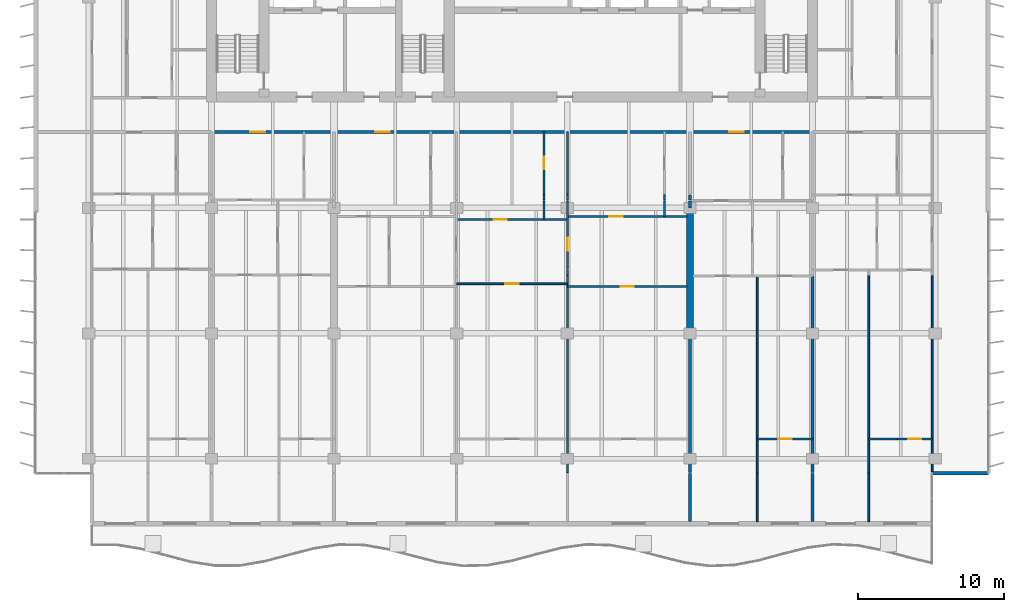
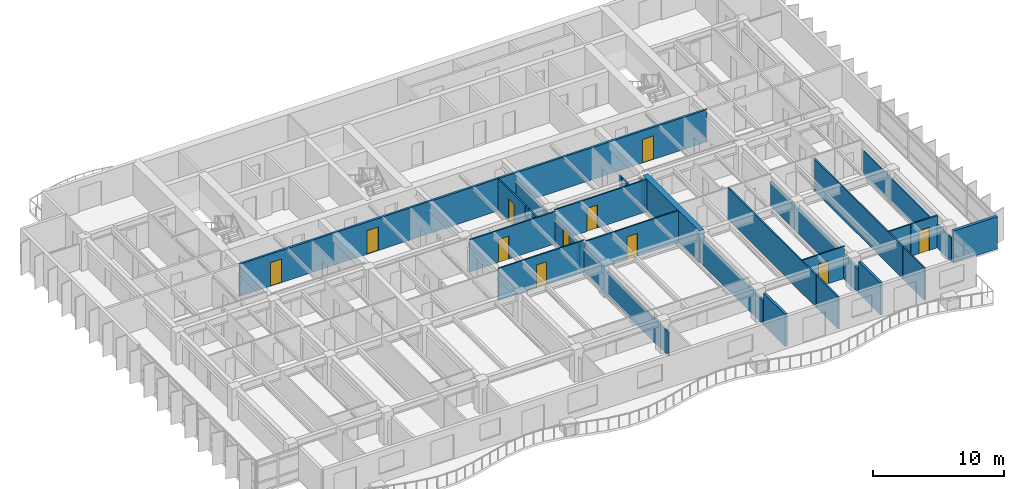
# One storey, part 10 of 18: 31 walls, 11 doors, 11 openings.
"""IFC4 building model written with IfcOpenShell, lengths in metres."""

from ifc_helpers import new_model, si_unit, direction, frame, frame_2d, origin, place, context, subcontext, project, spatial, rectangle, extrude, material, layer, layer_set, type_object, element, fill, save


model = new_model("IFC4")

# Units and contexts
model_context = context("Model", 3, precision=1e-05, world=origin(), true_north=direction((0.0, 1.0)))
body_context = subcontext(model_context, "Body", "Model", "MODEL_VIEW")
ifc_project = project(units=[si_unit("LENGTHUNIT", "METRE"), si_unit("AREAUNIT", "SQUARE_METRE"), si_unit("VOLUMEUNIT", "CUBIC_METRE"), si_unit("PLANEANGLEUNIT", "RADIAN"), si_unit("MASSUNIT", "GRAM", prefix="KILO")], contexts=[model_context])

# Site, building, storey
site_placement = place(None, origin())
site = spatial("IfcSite", under=ifc_project, at=site_placement, CompositionType="ELEMENT")
building_placement = place(site_placement, origin())
building = spatial("IfcBuilding", under=site, at=building_placement, Name="Caelmar Bay Residences", CompositionType="ELEMENT")
storey_placement = place(building_placement, frame((0.0, 0.0, 180.300048828125)))
storey = spatial("IfcBuildingStorey", under=building, at=storey_placement, Name="L50", CompositionType="ELEMENT", Elevation=180.300048828125)

# Wall
ifc_material_1 = material(Name="Concrete f'c 55 MPa (8,000 psi)", Category="concrete")
ifc_layer_1 = layer(ifc_material_1, 0.449951171875)
ifc_layer_set_1 = layer_set([ifc_layer_1], Name="Concrete f'c 55 MPa (8,000 psi)")
wall_type_1 = type_object("IfcWallType", Name="SW-XSLB-450", PredefinedType="SHEAR", material=ifc_layer_set_1)
wall_1_placement = place(storey_placement, frame((51.10009765625, 20.800048828125, 0.0), z_axis=(0.0, 0.0, 1.0), x_axis=(0.0, 1.0, 0.0)))
element("IfcWall", 1, at=wall_1_placement, inside=storey, type_object=wall_type_1, Name="L50 Transverse Cross-Slab Shear Wall E8", PredefinedType="SHEAR", context=body_context, shape_type="SweptSolid", body=[
    extrude(rectangle(XDim=8.599853515625, YDim=0.449951171875, at=frame_2d((4.2998046875, 0.0))), origin(), (0.0, 0.0, 1.0), 3.0),
])

# Wall, openings, doors
ifc_material_2 = material(Name="Double-stud acoustic fire-rated gypsum partition 180 mm")
ifc_layer_2 = layer(ifc_material_2, 0.179931640625)
ifc_layer_set_2 = layer_set([ifc_layer_2], Name="Double-stud acoustic fire-rated gypsum partition 180 mm")
wall_type_2 = type_object("IfcWallType", Name="W-COR-200", PredefinedType="PARTITIONING", material=ifc_layer_set_2)
wall_2_placement = place(storey_placement, frame((18.300048828125, 34.60009765625, 0.0), z_axis=(0.0, 0.0, 1.0), x_axis=(1.0, 0.0, 0.0)))
wall_2 = element("IfcWall", 2, at=wall_2_placement, inside=storey, type_object=wall_type_2, Name="L50 Partition Wall H130", PredefinedType="PARTITIONING", context=body_context, shape_type="SweptSolid", body=[
    extrude(rectangle(XDim=41.199951171875, YDim=0.179931640625, at=frame_2d((20.60009765625, 0.0))), origin(), (0.0, 0.0, 1.0), 3.0),
])
opening_1_placement = place(wall_2_placement, frame((2.669921875, 0.0, 0.0)))
opening_1 = element("IfcOpeningElement", 3, at=opening_1_placement, cuts=wall_2, Name="Opening D-L50-128", PredefinedType="OPENING", context=body_context, shape_type="SweptSolid", body=[
    extrude(rectangle(XDim=1.0, YDim=2.199951171875, at=frame_2d((0.5, 1.10009765625))), frame((0.0, 0.099853515625, 0.0), z_axis=(0.0, -1.0, 0.0), x_axis=(1.0, 0.0, 0.0)), (0.0, 0.0, 1.0), 0.199951171875),
])
opening_2_placement = place(wall_2_placement, frame((11.2119140625, 0.0, 0.0)))
opening_2 = element("IfcOpeningElement", 4, at=opening_2_placement, cuts=wall_2, Name="Opening D-L50-135", PredefinedType="OPENING", context=body_context, shape_type="SweptSolid", body=[
    extrude(rectangle(XDim=1.0, YDim=2.199951171875, at=frame_2d((0.5, 1.10009765625))), frame((0.0, 0.099853515625, 0.0), z_axis=(0.0, -1.0, 0.0), x_axis=(1.0, 0.0, 0.0)), (0.0, 0.0, 1.0), 0.199951171875),
])
opening_3_placement = place(wall_2_placement, frame((35.48291015625, 0.0, 0.0)))
opening_3 = element("IfcOpeningElement", 5, at=opening_3_placement, cuts=wall_2, Name="Opening D-L50-150", PredefinedType="OPENING", context=body_context, shape_type="SweptSolid", body=[
    extrude(rectangle(XDim=1.0, YDim=2.199951171875, at=frame_2d((0.5, 1.10009765625))), frame((0.0, 0.099853515625, 0.0), z_axis=(0.0, -1.0, 0.0), x_axis=(1.0, 0.0, 0.0)), (0.0, 0.0, 1.0), 0.199951171875),
])
ifc_material_3 = material(Name="Fire-rated steel and walnut architectural door assembly", Category="steel")
ifc_layer_3 = layer(ifc_material_3, 0.050048828125)
ifc_layer_set_3 = layer_set([ifc_layer_3], Name="Fire-rated steel and walnut architectural door assembly")
door_type_1 = type_object("IfcDoorType", Name="D-UNIT-1000", OperationType="NOTDEFINED", PredefinedType="DOOR", material=ifc_layer_set_3)
door_1_placement = place(opening_1_placement, origin())
door_1 = element("IfcDoor", 6, at=door_1_placement, inside=storey, type_object=door_type_1, Name="L50 Residence 02 Apartment Hall Door", OperationType="SINGLE_SWING_LEFT", OverallHeight=2.199951171875, OverallWidth=1.0, PredefinedType="DOOR", context=body_context, shape_type="SweptSolid", body=[
    extrude(rectangle(XDim=1.0, YDim=2.199951171875, at=frame_2d((0.5, 1.10009765625))), frame((0.0, 0.02490234375, 0.0), z_axis=(0.0, -1.0, 0.0), x_axis=(1.0, 0.0, 0.0)), (0.0, 0.0, 1.0), 0.050048828125),
])
fill(opening_1, door_1)
door_2_placement = place(opening_2_placement, origin())
door_2 = element("IfcDoor", 7, at=door_2_placement, inside=storey, type_object=door_type_1, Name="L50 Residence 03 Apartment Hall Door", OperationType="SINGLE_SWING_RIGHT", OverallHeight=2.199951171875, OverallWidth=1.0, PredefinedType="DOOR", context=body_context, shape_type="SweptSolid", body=[
    extrude(rectangle(XDim=1.0, YDim=2.199951171875, at=frame_2d((0.5, 1.10009765625))), frame((0.0, 0.02490234375, 0.0), z_axis=(0.0, -1.0, 0.0), x_axis=(1.0, 0.0, 0.0)), (0.0, 0.0, 1.0), 0.050048828125),
])
fill(opening_2, door_2)
door_3_placement = place(opening_3_placement, origin())
door_3 = element("IfcDoor", 8, at=door_3_placement, inside=storey, type_object=door_type_1, Name="L50 Residence 04 Apartment Hall Door", OperationType="SINGLE_SWING_LEFT", OverallHeight=2.199951171875, OverallWidth=1.0, PredefinedType="DOOR", context=body_context, shape_type="SweptSolid", body=[
    extrude(rectangle(XDim=1.0, YDim=2.199951171875, at=frame_2d((0.5, 1.10009765625))), frame((0.0, 0.02490234375, 0.0), z_axis=(0.0, -1.0, 0.0), x_axis=(1.0, 0.0, 0.0)), (0.0, 0.0, 1.0), 0.050048828125),
])
fill(opening_3, door_3)

# Walls
ifc_material_4 = material(Name="Precast concrete f'c 40 MPa (6,000 psi)", Category="concrete")
ifc_layer_4 = layer(ifc_material_4, 0.25)
ifc_layer_set_4 = layer_set([ifc_layer_4], Name="Precast concrete f'c 40 MPa (6,000 psi)")
wall_type_3 = type_object("IfcWallType", Name="W-EXT-250", PredefinedType="ELEMENTEDWALL", material=ifc_layer_set_4)
wall_3_placement = place(storey_placement, frame((67.699951171875, 11.199951171875, 0.0), z_axis=(0.0, 0.0, 1.0), x_axis=(1.0, 0.0, 0.0)))
element("IfcWall", 9, at=wall_3_placement, inside=storey, type_object=wall_type_3, Name="L50 SE Notch Return Wall", PredefinedType="ELEMENTEDWALL", context=body_context, shape_type="SweptSolid", body=[
    extrude(rectangle(XDim=3.85009765625, YDim=0.25, at=frame_2d((1.925048828125, 0.0))), origin(), (0.0, 0.0, 1.0), 3.0),
])
ifc_material_5 = material(Name="Acoustic metal-stud gypsum partition 120 mm")
ifc_layer_5 = layer(ifc_material_5, 0.1201171875)
ifc_layer_set_5 = layer_set([ifc_layer_5], Name="Acoustic metal-stud gypsum partition 120 mm")
wall_type_4 = type_object("IfcWallType", Name="W-PRT-120", PredefinedType="PARTITIONING", material=ifc_layer_set_5)
wall_4_placement = place(storey_placement, frame((41.10009765625, 28.60009765625, 0.0), z_axis=(0.0, 0.0, 1.0), x_axis=(0.0, 1.0, 0.0)))
element("IfcWall", 10, at=wall_4_placement, inside=storey, type_object=wall_type_4, Name="L50 Partition Wall V051", PredefinedType="PARTITIONING", context=body_context, shape_type="SweptSolid", body=[
    extrude(rectangle(XDim=1.27978515625, YDim=0.1201171875, at=frame_2d((0.639892578125, 0.0))), origin(), (0.0, 0.0, 1.0), 3.0),
])
wall_5_placement = place(storey_placement, frame((41.10009765625, 29.93994140625, 0.0), z_axis=(0.0, 0.0, 1.0), x_axis=(0.0, 1.0, 0.0)))
element("IfcWall", 11, at=wall_5_placement, inside=storey, type_object=wall_type_4, Name="L50 Partition Wall V052", PredefinedType="PARTITIONING", context=body_context, shape_type="SweptSolid", body=[
    extrude(rectangle(XDim=0.340087890625, YDim=0.1201171875, at=frame_2d((0.169921875, 0.0))), origin(), (0.0, 0.0, 1.0), 3.0),
])

# Wall, opening, door
wall_6_placement = place(storey_placement, frame((41.10009765625, 30.340087890625, 0.0), z_axis=(0.0, 0.0, 1.0), x_axis=(0.0, 1.0, 0.0)))
wall_6 = element("IfcWall", 12, at=wall_6_placement, inside=storey, type_object=wall_type_4, Name="L50 Partition Wall V053", PredefinedType="PARTITIONING", context=body_context, shape_type="SweptSolid", body=[
    extrude(rectangle(XDim=4.260009765625, YDim=0.1201171875, at=frame_2d((2.1298828125, 0.0))), origin(), (0.0, 0.0, 1.0), 3.0),
])
opening_4_placement = place(wall_6_placement, frame((1.705078125, 0.0, 0.0)))
opening_4 = element("IfcOpeningElement", 13, at=opening_4_placement, cuts=wall_6, Name="Opening D-L50-142", PredefinedType="OPENING", context=body_context, shape_type="SweptSolid", body=[
    extrude(rectangle(XDim=0.85009765625, YDim=2.10009765625, at=frame_2d((0.425048828125, 1.050048828125))), frame((0.0, 0.070068359375, 0.0), z_axis=(0.0, -1.0, 0.0), x_axis=(1.0, 0.0, 0.0)), (0.0, 0.0, 1.0), 0.14013671875),
])
ifc_material_6 = material(Name="Solid walnut timber interior door leaf and frame", Category="wood")
ifc_layer_6 = layer(ifc_material_6, 0.050048828125)
ifc_layer_set_6 = layer_set([ifc_layer_6], Name="Solid walnut timber interior door leaf and frame")
door_type_2 = type_object("IfcDoorType", Name="D-BATH-850", OperationType="NOTDEFINED", PredefinedType="DOOR", material=ifc_layer_set_6)
door_4_placement = place(opening_4_placement, origin())
door_4 = element("IfcDoor", 14, at=door_4_placement, inside=storey, type_object=door_type_2, Name="L50 Residence 03 En-Suite Bathroom 1 Door", OperationType="SINGLE_SWING_LEFT", OverallHeight=2.10009765625, OverallWidth=0.85009765625, PredefinedType="DOOR", context=body_context, shape_type="SweptSolid", body=[
    extrude(rectangle(XDim=0.85009765625, YDim=2.10009765625, at=frame_2d((0.425048828125, 1.050048828125))), frame((0.0, 0.02490234375, 0.0), z_axis=(0.0, -1.0, 0.0), x_axis=(1.0, 0.0, 0.0)), (0.0, 0.0, 1.0), 0.050048828125),
])
fill(opening_4, door_4)

# Walls
wall_7_placement = place(storey_placement, frame((42.699951171875, 11.239990234375, 0.0), z_axis=(0.0, 0.0, 1.0), x_axis=(0.0, 1.0, 0.0)))
element("IfcWall", 15, at=wall_7_placement, inside=storey, type_object=wall_type_4, Name="L50 Partition Wall V056", PredefinedType="PARTITIONING", context=body_context, shape_type="SweptSolid", body=[
    extrude(rectangle(XDim=13.489990234375, YDim=0.1201171875, at=frame_2d((6.7451171875, 0.0))), origin(), (0.0, 0.0, 1.0), 2.212890625),
])
wall_8_placement = place(storey_placement, frame((42.699951171875, 24.7900390625, 0.0), z_axis=(0.0, 0.0, 1.0), x_axis=(0.0, 1.0, 0.0)))
element("IfcWall", 16, at=wall_8_placement, inside=storey, type_object=wall_type_4, Name="L50 Partition Wall V057", PredefinedType="PARTITIONING", context=body_context, shape_type="SweptSolid", body=[
    extrude(rectangle(XDim=0.33984375, YDim=0.1201171875, at=frame_2d((0.169921875, 0.0))), origin(), (0.0, 0.0, 1.0), 2.212890625),
])

# Wall, opening, door
wall_9_placement = place(storey_placement, frame((42.699951171875, 25.18994140625, 0.0), z_axis=(0.0, 0.0, 1.0), x_axis=(0.0, 1.0, 0.0)))
wall_9 = element("IfcWall", 17, at=wall_9_placement, inside=storey, type_object=wall_type_4, Name="L50 Partition Wall V058", PredefinedType="PARTITIONING", context=body_context, shape_type="SweptSolid", body=[
    extrude(rectangle(XDim=4.68994140625, YDim=0.1201171875, at=frame_2d((2.344970703125, 0.0))), origin(), (0.0, 0.0, 1.0), 2.212890625),
])
opening_5_placement = place(wall_9_placement, frame((1.2548828125, 0.0, 0.0)))
opening_5 = element("IfcOpeningElement", 18, at=opening_5_placement, cuts=wall_9, Name="Opening D-L50-145", PredefinedType="OPENING", context=body_context, shape_type="SweptSolid", body=[
    extrude(rectangle(XDim=0.89990234375, YDim=2.14990234375, at=frame_2d((0.449951171875, 1.074951171875))), frame((0.0, 0.070068359375, 0.0), z_axis=(0.0, -1.0, 0.0), x_axis=(1.0, 0.0, 0.0)), (0.0, 0.0, 1.0), 0.14013671875),
])
ifc_layer_7 = layer(ifc_material_6, 0.050048828125)
ifc_layer_set_7 = layer_set([ifc_layer_7], Name="Solid walnut timber interior door leaf and frame")
door_type_3 = type_object("IfcDoorType", Name="D-ROOM-900", OperationType="NOTDEFINED", PredefinedType="DOOR", material=ifc_layer_set_7)
door_5_placement = place(opening_5_placement, origin())
door_5 = element("IfcDoor", 19, at=door_5_placement, inside=storey, type_object=door_type_3, Name="L50 Residence 03 Formal Dining Room 2 Door", OperationType="SINGLE_SWING_RIGHT", OverallHeight=2.14990234375, OverallWidth=0.89990234375, PredefinedType="DOOR", context=body_context, shape_type="SweptSolid", body=[
    extrude(rectangle(XDim=0.89990234375, YDim=2.14990234375, at=frame_2d((0.449951171875, 1.074951171875))), frame((0.0, 0.02490234375, 0.0), z_axis=(0.0, -1.0, 0.0), x_axis=(1.0, 0.0, 0.0)), (0.0, 0.0, 1.0), 0.050048828125),
])
fill(opening_5, door_5)

# Walls
wall_10_placement = place(storey_placement, frame((42.699951171875, 29.93994140625, 0.0), z_axis=(0.0, 0.0, 1.0), x_axis=(0.0, 1.0, 0.0)))
element("IfcWall", 20, at=wall_10_placement, inside=storey, type_object=wall_type_4, Name="L50 Partition Wall V059", PredefinedType="PARTITIONING", context=body_context, shape_type="SweptSolid", body=[
    extrude(rectangle(XDim=0.340087890625, YDim=0.1201171875, at=frame_2d((0.169921875, 0.0))), origin(), (0.0, 0.0, 1.0), 2.212890625),
])
wall_11_placement = place(storey_placement, frame((42.699951171875, 30.340087890625, 0.0), z_axis=(0.0, 0.0, 1.0), x_axis=(0.0, 1.0, 0.0)))
element("IfcWall", 21, at=wall_11_placement, inside=storey, type_object=wall_type_4, Name="L50 Partition Wall V060", PredefinedType="PARTITIONING", context=body_context, shape_type="SweptSolid", body=[
    extrude(rectangle(XDim=4.260009765625, YDim=0.1201171875, at=frame_2d((2.1298828125, 0.0))), origin(), (0.0, 0.0, 1.0), 2.212890625),
])
wall_12_placement = place(storey_placement, frame((49.35888671875, 28.800048828125, 0.0), z_axis=(0.0, 0.0, 1.0), x_axis=(0.0, 1.0, 0.0)))
element("IfcWall", 22, at=wall_12_placement, inside=storey, type_object=wall_type_4, Name="L50 Partition Wall V065", PredefinedType="PARTITIONING", context=body_context, shape_type="SweptSolid", body=[
    extrude(rectangle(XDim=1.079833984375, YDim=0.1201171875, at=frame_2d((0.5400390625, 0.0))), origin(), (0.0, 0.0, 1.0), 3.0),
])
wall_13_placement = place(storey_placement, frame((49.35888671875, 29.93994140625, 0.0), z_axis=(0.0, 0.0, 1.0), x_axis=(0.0, 1.0, 0.0)))
element("IfcWall", 23, at=wall_13_placement, inside=storey, type_object=wall_type_4, Name="L50 Partition Wall V066", PredefinedType="PARTITIONING", context=body_context, shape_type="SweptSolid", body=[
    extrude(rectangle(XDim=0.340087890625, YDim=0.1201171875, at=frame_2d((0.169921875, 0.0))), origin(), (0.0, 0.0, 1.0), 3.0),
])
wall_14_placement = place(storey_placement, frame((55.719970703125, 7.89501953125, 0.0), z_axis=(0.0, 0.0, 1.0), x_axis=(0.0, 1.0, 0.0)))
element("IfcWall", 24, at=wall_14_placement, inside=storey, type_object=wall_type_4, Name="L50 Partition Wall V079", PredefinedType="PARTITIONING", context=body_context, shape_type="SweptSolid", body=[
    extrude(rectangle(XDim=3.304931640625, YDim=0.1201171875, at=frame_2d((1.65234375, 0.0))), origin(), (0.0, 0.0, 1.0), 3.0),
])
wall_15_placement = place(storey_placement, frame((55.719970703125, 11.239990234375, 0.0), z_axis=(0.0, 0.0, 1.0), x_axis=(0.0, 1.0, 0.0)))
element("IfcWall", 25, at=wall_15_placement, inside=storey, type_object=wall_type_4, Name="L50 Partition Wall V080", PredefinedType="PARTITIONING", context=body_context, shape_type="SweptSolid", body=[
    extrude(rectangle(XDim=13.489990234375, YDim=0.1201171875, at=frame_2d((6.7451171875, 0.0))), origin(), (0.0, 0.0, 1.0), 3.0),
])
wall_16_placement = place(storey_placement, frame((63.35400390625, 7.89501953125, 0.0), z_axis=(0.0, 0.0, 1.0), x_axis=(0.0, 1.0, 0.0)))
element("IfcWall", 26, at=wall_16_placement, inside=storey, type_object=wall_type_4, Name="L50 Partition Wall V091", PredefinedType="PARTITIONING", context=body_context, shape_type="SweptSolid", body=[
    extrude(rectangle(XDim=3.304931640625, YDim=0.1201171875, at=frame_2d((1.65234375, 0.0))), origin(), (0.0, 0.0, 1.0), 3.0),
])
wall_17_placement = place(storey_placement, frame((63.35400390625, 11.239990234375, 0.0), z_axis=(0.0, 0.0, 1.0), x_axis=(0.0, 1.0, 0.0)))
element("IfcWall", 27, at=wall_17_placement, inside=storey, type_object=wall_type_4, Name="L50 Partition Wall V092", PredefinedType="PARTITIONING", context=body_context, shape_type="SweptSolid", body=[
    extrude(rectangle(XDim=13.489990234375, YDim=0.1201171875, at=frame_2d((6.7451171875, 0.0))), origin(), (0.0, 0.0, 1.0), 3.0),
])
wall_18_placement = place(storey_placement, frame((67.699951171875, 11.320068359375, 0.0), z_axis=(0.0, 0.0, 1.0), x_axis=(0.0, 1.0, 0.0)))
element("IfcWall", 28, at=wall_18_placement, inside=storey, type_object=wall_type_4, Name="L50 Partition Wall V098", PredefinedType="PARTITIONING", context=body_context, shape_type="SweptSolid", body=[
    extrude(rectangle(XDim=13.409912109375, YDim=0.1201171875, at=frame_2d((6.705078125, 0.0))), origin(), (0.0, 0.0, 1.0), 2.212890625),
])

# Wall, opening, door
wall_19_placement = place(storey_placement, frame((55.719970703125, 13.550048828125, 0.0), z_axis=(0.0, 0.0, 1.0), x_axis=(1.0, 0.0, 0.0)))
wall_19 = element("IfcWall", 29, at=wall_19_placement, inside=storey, type_object=wall_type_4, Name="L50 Partition Wall H109", PredefinedType="PARTITIONING", context=body_context, shape_type="SweptSolid", body=[
    extrude(rectangle(XDim=3.780029296875, YDim=0.1201171875, at=frame_2d((1.89013671875, 0.0))), origin(), (0.0, 0.0, 1.0), 3.0),
])
opening_6_placement = place(wall_19_placement, frame((1.43994140625, 0.0, 0.0)))
opening_6 = element("IfcOpeningElement", 30, at=opening_6_placement, cuts=wall_19, Name="Opening D-L50-156", PredefinedType="OPENING", context=body_context, shape_type="SweptSolid", body=[
    extrude(rectangle(XDim=0.89990234375, YDim=2.14990234375, at=frame_2d((0.449951171875, 1.074951171875))), frame((0.0, 0.070068359375, 0.0), z_axis=(0.0, -1.0, 0.0), x_axis=(1.0, 0.0, 0.0)), (0.0, 0.0, 1.0), 0.14013671875),
])
door_6_placement = place(opening_6_placement, origin())
door_6 = element("IfcDoor", 31, at=door_6_placement, inside=storey, type_object=door_type_3, Name="L50 Residence 04 Primary Bedroom Door", OperationType="SINGLE_SWING_LEFT", OverallHeight=2.14990234375, OverallWidth=0.89990234375, PredefinedType="DOOR", context=body_context, shape_type="SweptSolid", body=[
    extrude(rectangle(XDim=0.89990234375, YDim=2.14990234375, at=frame_2d((0.449951171875, 1.074951171875))), frame((0.0, 0.02490234375, 0.0), z_axis=(0.0, -1.0, 0.0), x_axis=(1.0, 0.0, 0.0)), (0.0, 0.0, 1.0), 0.050048828125),
])
fill(opening_6, door_6)

# Wall
wall_20_placement = place(storey_placement, frame((63.35400390625, 13.550048828125, 0.0), z_axis=(0.0, 0.0, 1.0), x_axis=(1.0, 0.0, 0.0)))
element("IfcWall", 32, at=wall_20_placement, inside=storey, type_object=wall_type_4, Name="L50 Partition Wall H110", PredefinedType="PARTITIONING", context=body_context, shape_type="SweptSolid", body=[
    extrude(rectangle(XDim=1.926025390625, YDim=0.1201171875, at=frame_2d((0.962890625, 0.0))), origin(), (0.0, 0.0, 1.0), 3.0),
])

# Wall, opening, door
wall_21_placement = place(storey_placement, frame((65.31591796875, 13.550048828125, 0.0), z_axis=(0.0, 0.0, 1.0), x_axis=(1.0, 0.0, 0.0)))
wall_21 = element("IfcWall", 33, at=wall_21_placement, inside=storey, type_object=wall_type_4, Name="L50 Partition Wall H111", PredefinedType="PARTITIONING", context=body_context, shape_type="SweptSolid", body=[
    extrude(rectangle(XDim=2.384033203125, YDim=0.1201171875, at=frame_2d((1.19189453125, 0.0))), origin(), (0.0, 0.0, 1.0), 3.0),
])
opening_7_placement = place(wall_21_placement, frame((0.741943359375, 0.0, 0.0)))
opening_7 = element("IfcOpeningElement", 34, at=opening_7_placement, cuts=wall_21, Name="Opening D-L50-163", PredefinedType="OPENING", context=body_context, shape_type="SweptSolid", body=[
    extrude(rectangle(XDim=0.89990234375, YDim=2.14990234375, at=frame_2d((0.449951171875, 1.074951171875))), frame((0.0, 0.070068359375, 0.0), z_axis=(0.0, -1.0, 0.0), x_axis=(1.0, 0.0, 0.0)), (0.0, 0.0, 1.0), 0.14013671875),
])
door_7_placement = place(opening_7_placement, origin())
door_7 = element("IfcDoor", 35, at=door_7_placement, inside=storey, type_object=door_type_3, Name="L50 Residence 05 Primary Bedroom Door", OperationType="SINGLE_SWING_RIGHT", OverallHeight=2.14990234375, OverallWidth=0.89990234375, PredefinedType="DOOR", context=body_context, shape_type="SweptSolid", body=[
    extrude(rectangle(XDim=0.89990234375, YDim=2.14990234375, at=frame_2d((0.449951171875, 1.074951171875))), frame((0.0, 0.02490234375, 0.0), z_axis=(0.0, -1.0, 0.0), x_axis=(1.0, 0.0, 0.0)), (0.0, 0.0, 1.0), 0.050048828125),
])
fill(opening_7, door_7)

wall_22_placement = place(storey_placement, frame((42.699951171875, 24.0, 0.0), z_axis=(0.0, 0.0, 1.0), x_axis=(1.0, 0.0, 0.0)))
wall_22 = element("IfcWall", 36, at=wall_22_placement, inside=storey, type_object=wall_type_4, Name="L50 Partition Wall H113", PredefinedType="PARTITIONING", context=body_context, shape_type="SweptSolid", body=[
    extrude(rectangle(XDim=8.179931640625, YDim=0.1201171875, at=frame_2d((4.08984375, 0.0))), origin(), (0.0, 0.0, 1.0), 3.0),
])
opening_8_placement = place(wall_22_placement, frame((3.639892578125, 0.0, 0.0)))
opening_8 = element("IfcOpeningElement", 37, at=opening_8_placement, cuts=wall_22, Name="Opening D-L50-148", PredefinedType="OPENING", context=body_context, shape_type="SweptSolid", body=[
    extrude(rectangle(XDim=0.89990234375, YDim=2.14990234375, at=frame_2d((0.449951171875, 1.074951171875))), frame((0.0, 0.070068359375, 0.0), z_axis=(0.0, -1.0, 0.0), x_axis=(1.0, 0.0, 0.0)), (0.0, 0.0, 1.0), 0.14013671875),
])
door_8_placement = place(opening_8_placement, origin())
door_8 = element("IfcDoor", 38, at=door_8_placement, inside=storey, type_object=door_type_3, Name="L50 Residence 03 Penthouse Sitting Salon 2 Door", OperationType="SINGLE_SWING_LEFT", OverallHeight=2.14990234375, OverallWidth=0.89990234375, PredefinedType="DOOR", context=body_context, shape_type="SweptSolid", body=[
    extrude(rectangle(XDim=0.89990234375, YDim=2.14990234375, at=frame_2d((0.449951171875, 1.074951171875))), frame((0.0, 0.02490234375, 0.0), z_axis=(0.0, -1.0, 0.0), x_axis=(1.0, 0.0, 0.0)), (0.0, 0.0, 1.0), 0.050048828125),
])
fill(opening_8, door_8)

wall_23_placement = place(storey_placement, frame((35.10498046875, 24.199951171875, 0.0), z_axis=(0.0, 0.0, 1.0), x_axis=(1.0, 0.0, 0.0)))
wall_23 = element("IfcWall", 39, at=wall_23_placement, inside=storey, type_object=wall_type_4, Name="L50 Partition Wall H114", PredefinedType="PARTITIONING", context=body_context, shape_type="SweptSolid", body=[
    extrude(rectangle(XDim=7.590087890625, YDim=0.1201171875, at=frame_2d((3.794921875, 0.0))), origin(), (0.0, 0.0, 1.0), 3.0),
])
opening_9_placement = place(wall_23_placement, frame((3.344970703125, 0.0, 0.0)))
opening_9 = element("IfcOpeningElement", 40, at=opening_9_placement, cuts=wall_23, Name="Opening D-L50-143", PredefinedType="OPENING", context=body_context, shape_type="SweptSolid", body=[
    extrude(rectangle(XDim=0.89990234375, YDim=2.14990234375, at=frame_2d((0.449951171875, 1.074951171875))), frame((0.0, 0.070068359375, 0.0), z_axis=(0.0, -1.0, 0.0), x_axis=(1.0, 0.0, 0.0)), (0.0, 0.0, 1.0), 0.14013671875),
])
door_9_placement = place(opening_9_placement, origin())
door_9 = element("IfcDoor", 41, at=door_9_placement, inside=storey, type_object=door_type_3, Name="L50 Residence 03 Penthouse Sitting Salon 1 Door", OperationType="SINGLE_SWING_RIGHT", OverallHeight=2.14990234375, OverallWidth=0.89990234375, PredefinedType="DOOR", context=body_context, shape_type="SweptSolid", body=[
    extrude(rectangle(XDim=0.89990234375, YDim=2.14990234375, at=frame_2d((0.449951171875, 1.074951171875))), frame((0.0, 0.02490234375, 0.0), z_axis=(0.0, -1.0, 0.0), x_axis=(1.0, 0.0, 0.0)), (0.0, 0.0, 1.0), 0.050048828125),
])
fill(opening_9, door_9)

wall_24_placement = place(storey_placement, frame((35.10009765625, 28.60009765625, 0.0), z_axis=(0.0, 0.0, 1.0), x_axis=(1.0, 0.0, 0.0)))
wall_24 = element("IfcWall", 42, at=wall_24_placement, inside=storey, type_object=wall_type_4, Name="L50 Partition Wall H120", PredefinedType="PARTITIONING", context=body_context, shape_type="SweptSolid", body=[
    extrude(rectangle(XDim=7.599853515625, YDim=0.1201171875, at=frame_2d((3.7998046875, 0.0))), origin(), (0.0, 0.0, 1.0), 3.0),
])
opening_10_placement = place(wall_24_placement, frame((2.550048828125, 0.0, 0.0)))
opening_10 = element("IfcOpeningElement", 43, at=opening_10_placement, cuts=wall_24, Name="Opening D-L50-141", PredefinedType="OPENING", context=body_context, shape_type="SweptSolid", body=[
    extrude(rectangle(XDim=0.89990234375, YDim=2.14990234375, at=frame_2d((0.449951171875, 1.074951171875))), frame((0.0, 0.070068359375, 0.0), z_axis=(0.0, -1.0, 0.0), x_axis=(1.0, 0.0, 0.0)), (0.0, 0.0, 1.0), 0.14013671875),
])
door_10_placement = place(opening_10_placement, origin())
door_10 = element("IfcDoor", 44, at=door_10_placement, inside=storey, type_object=door_type_3, Name="L50 Residence 03 Breakfast Dining Room 1 Door", OperationType="SINGLE_SWING_RIGHT", OverallHeight=2.14990234375, OverallWidth=0.89990234375, PredefinedType="DOOR", context=body_context, shape_type="SweptSolid", body=[
    extrude(rectangle(XDim=0.89990234375, YDim=2.14990234375, at=frame_2d((0.449951171875, 1.074951171875))), frame((0.0, 0.02490234375, 0.0), z_axis=(0.0, -1.0, 0.0), x_axis=(1.0, 0.0, 0.0)), (0.0, 0.0, 1.0), 0.050048828125),
])
fill(opening_10, door_10)

wall_25_placement = place(storey_placement, frame((42.705078125, 28.800048828125, 0.0), z_axis=(0.0, 0.0, 1.0), x_axis=(1.0, 0.0, 0.0)))
wall_25 = element("IfcWall", 45, at=wall_25_placement, inside=storey, type_object=wall_type_4, Name="L50 Partition Wall H122", PredefinedType="PARTITIONING", context=body_context, shape_type="SweptSolid", body=[
    extrude(rectangle(XDim=8.1748046875, YDim=0.1201171875, at=frame_2d((4.08740234375, 0.0))), origin(), (0.0, 0.0, 1.0), 3.0),
])
opening_11_placement = place(wall_25_placement, frame((2.876953125, 0.0, 0.0)))
opening_11 = element("IfcOpeningElement", 46, at=opening_11_placement, cuts=wall_25, Name="Opening D-L50-146", PredefinedType="OPENING", context=body_context, shape_type="SweptSolid", body=[
    extrude(rectangle(XDim=0.89990234375, YDim=2.14990234375, at=frame_2d((0.449951171875, 1.074951171875))), frame((0.0, 0.070068359375, 0.0), z_axis=(0.0, -1.0, 0.0), x_axis=(1.0, 0.0, 0.0)), (0.0, 0.0, 1.0), 0.14013671875),
])
door_11_placement = place(opening_11_placement, origin())
door_11 = element("IfcDoor", 47, at=door_11_placement, inside=storey, type_object=door_type_3, Name="L50 Residence 03 Breakfast Dining Room 2 Door", OperationType="SINGLE_SWING_LEFT", OverallHeight=2.14990234375, OverallWidth=0.89990234375, PredefinedType="DOOR", context=body_context, shape_type="SweptSolid", body=[
    extrude(rectangle(XDim=0.89990234375, YDim=2.14990234375, at=frame_2d((0.449951171875, 1.074951171875))), frame((0.0, 0.02490234375, 0.0), z_axis=(0.0, -1.0, 0.0), x_axis=(1.0, 0.0, 0.0)), (0.0, 0.0, 1.0), 0.050048828125),
])
fill(opening_11, door_11)

# Walls
ifc_material_7 = material(Name="Acoustic twin-stud fire-rated inter-tenancy partition 200 mm")
ifc_layer_8 = layer(ifc_material_7, 0.199951171875)
ifc_layer_set_8 = layer_set([ifc_layer_8], Name="Acoustic twin-stud fire-rated inter-tenancy partition 200 mm")
wall_type_5 = type_object("IfcWallType", Name="W-PTY-200", PredefinedType="PARTITIONING", material=ifc_layer_set_8)
wall_26_placement = place(storey_placement, frame((51.10009765625, 7.89501953125, 0.0), z_axis=(0.0, 0.0, 1.0), x_axis=(0.0, 1.0, 0.0)))
element("IfcWall", 48, at=wall_26_placement, inside=storey, type_object=wall_type_5, Name="L50 Partition Wall V071", PredefinedType="PARTITIONING", context=body_context, shape_type="SweptSolid", body=[
    extrude(rectangle(XDim=3.304931640625, YDim=0.199951171875, at=frame_2d((1.65234375, 0.0))), origin(), (0.0, 0.0, 1.0), 3.0),
])
wall_27_placement = place(storey_placement, frame((51.10009765625, 11.239990234375, 0.0), z_axis=(0.0, 0.0, 1.0), x_axis=(0.0, 1.0, 0.0)))
element("IfcWall", 49, at=wall_27_placement, inside=storey, type_object=wall_type_5, Name="L50 Partition Wall V072", PredefinedType="PARTITIONING", context=body_context, shape_type="SweptSolid", body=[
    extrude(rectangle(XDim=9.554931640625, YDim=0.199951171875, at=frame_2d((4.77734375, 0.0))), origin(), (0.0, 0.0, 1.0), 2.212890625),
])
wall_28_placement = place(storey_placement, frame((51.10009765625, 29.405029296875, 0.0), z_axis=(0.0, 0.0, 1.0), x_axis=(0.0, 1.0, 0.0)))
element("IfcWall", 50, at=wall_28_placement, inside=storey, type_object=wall_type_5, Name="L50 Partition Wall V073", PredefinedType="PARTITIONING", context=body_context, shape_type="SweptSolid", body=[
    extrude(rectangle(XDim=0.474853515625, YDim=0.199951171875, at=frame_2d((0.2373046875, 0.0))), origin(), (0.0, 0.0, 1.0), 2.284912109375),
])
wall_29_placement = place(storey_placement, frame((51.10009765625, 29.93994140625, 0.0), z_axis=(0.0, 0.0, 1.0), x_axis=(0.0, 1.0, 0.0)))
element("IfcWall", 51, at=wall_29_placement, inside=storey, type_object=wall_type_5, Name="L50 Partition Wall V074", PredefinedType="PARTITIONING", context=body_context, shape_type="SweptSolid", body=[
    extrude(rectangle(XDim=0.340087890625, YDim=0.199951171875, at=frame_2d((0.169921875, 0.0))), origin(), (0.0, 0.0, 1.0), 2.284912109375),
])
wall_30_placement = place(storey_placement, frame((59.5, 7.89501953125, 0.0), z_axis=(0.0, 0.0, 1.0), x_axis=(0.0, 1.0, 0.0)))
element("IfcWall", 52, at=wall_30_placement, inside=storey, type_object=wall_type_5, Name="L50 Partition Wall V084", PredefinedType="PARTITIONING", context=body_context, shape_type="SweptSolid", body=[
    extrude(rectangle(XDim=3.304931640625, YDim=0.199951171875, at=frame_2d((1.65234375, 0.0))), origin(), (0.0, 0.0, 1.0), 3.0),
])
wall_31_placement = place(storey_placement, frame((59.5, 11.239990234375, 0.0), z_axis=(0.0, 0.0, 1.0), x_axis=(0.0, 1.0, 0.0)))
element("IfcWall", 53, at=wall_31_placement, inside=storey, type_object=wall_type_5, Name="L50 Partition Wall V085", PredefinedType="PARTITIONING", context=body_context, shape_type="SweptSolid", body=[
    extrude(rectangle(XDim=13.489990234375, YDim=0.199951171875, at=frame_2d((6.7451171875, 0.0))), origin(), (0.0, 0.0, 1.0), 2.212890625),
])

save(model, "model.ifc")
